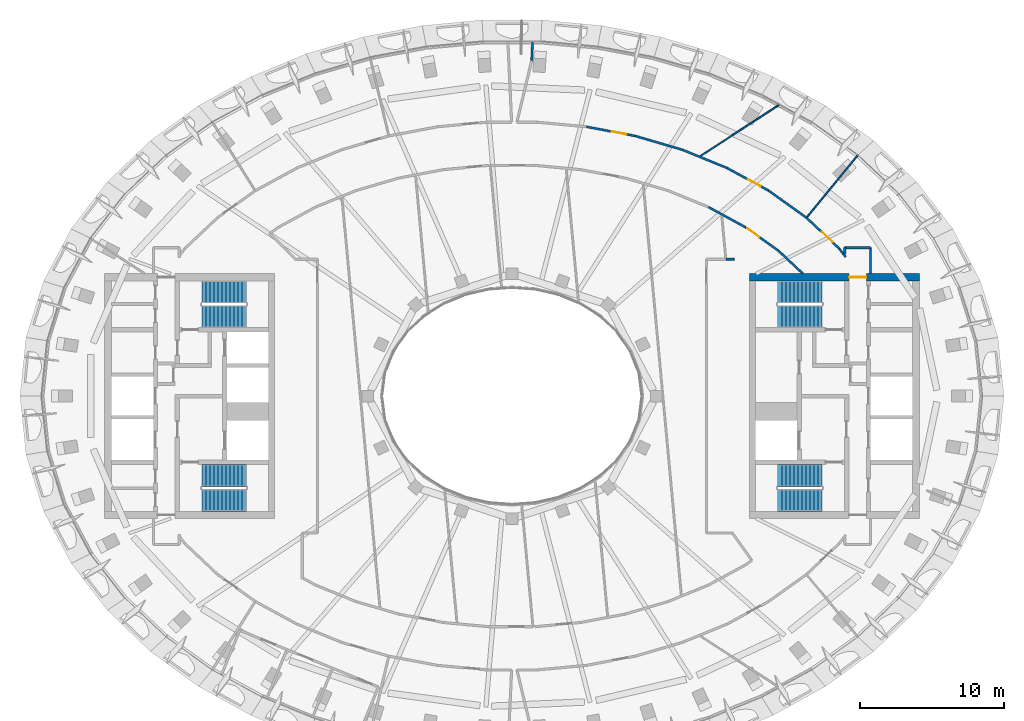
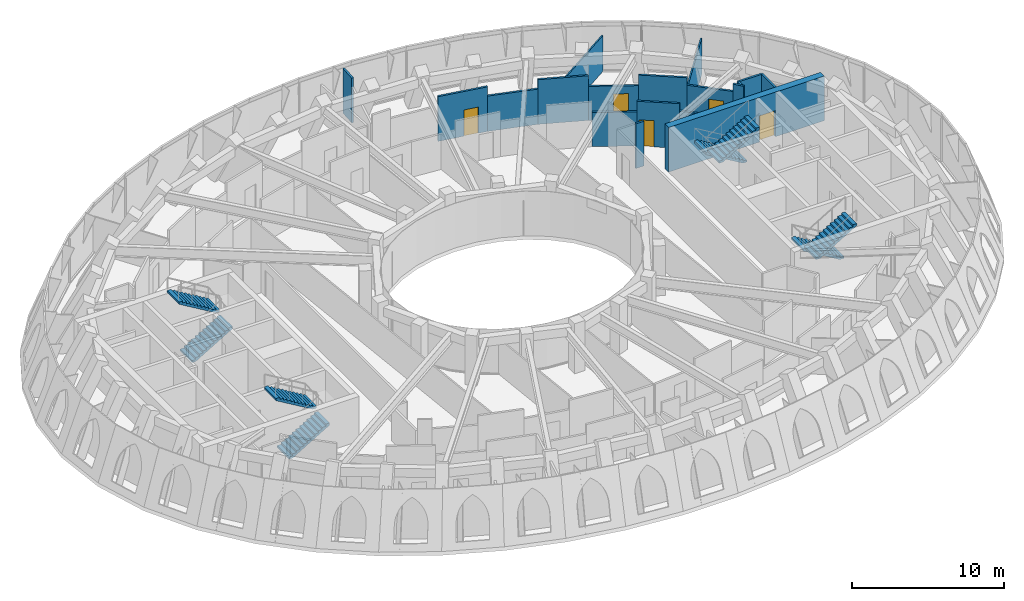
# One storey, part 7 of 14: 18 walls, 8 stair flights, 5 doors, 5 openings, 4 elements without a shape of their own.
"""IFC4 building model written with IfcOpenShell, lengths in metres."""

from ifc_helpers import new_model, si_unit, direction, frame, frame_2d, origin, place, context, subcontext, project, spatial, polyline, rectangle, outline, extrude, material, layer, layer_set, type_object, element, fill, aggregate, save


model = new_model("IFC4")

# Units and contexts
model_context = context("Model", 3, precision=1e-05, world=origin(), true_north=direction((0.0, 1.0)))
body_context = subcontext(model_context, "Body", "Model", "MODEL_VIEW")
ifc_project = project(units=[si_unit("LENGTHUNIT", "METRE"), si_unit("AREAUNIT", "SQUARE_METRE"), si_unit("VOLUMEUNIT", "CUBIC_METRE"), si_unit("PLANEANGLEUNIT", "RADIAN"), si_unit("MASSUNIT", "GRAM", prefix="KILO")], contexts=[model_context])

# Site, building, storey
site_placement = place(None, origin())
site = spatial("IfcSite", under=ifc_project, at=site_placement, CompositionType="ELEMENT")
building_placement = place(site_placement, origin())
building = spatial("IfcBuilding", under=site, at=building_placement, Name="Noorbagh Ring Tower", CompositionType="ELEMENT")
storey_placement = place(building_placement, frame((0.0, 0.0, 343.0)))
storey = spatial("IfcBuildingStorey", under=building, at=storey_placement, Name="L75", CompositionType="ELEMENT", Elevation=343.0)

# Wall, opening, door
ifc_material_1 = material(Name="Concrete C50/60", Category="concrete")
ifc_layer_1 = layer(ifc_material_1, 0.5)
ifc_layer_set_1 = layer_set([ifc_layer_1], Name="Concrete C50/60")
wall_type_1 = type_object("IfcWallType", Name="CORE-WALL-500-C50-60-EI240", PredefinedType="SHEAR", material=ifc_layer_set_1)
wall_1_placement = place(storey_placement, frame((16.5, 8.25, 0.0), z_axis=(0.0, 0.0, 1.0), x_axis=(1.0, 0.0, 0.0)))
wall_1 = element("IfcWall", 1, at=wall_1_placement, inside=storey, type_object=wall_type_1, Name="Core wall E", PredefinedType="SHEAR", context=body_context, shape_type="SweptSolid", body=[
    extrude(rectangle(XDim=11.800048828125, YDim=0.5, at=frame_2d((5.89990234375, 0.0))), origin(), (0.0, 0.0, 1.0), 3.580078125),
])
opening_1_placement = place(wall_1_placement, frame((6.89990234375, 0.0, 0.0)))
opening_1 = element("IfcOpeningElement", 2, at=opening_1_placement, cuts=wall_1, Name="Opening L75-CE08", PredefinedType="OPENING", context=body_context, shape_type="SweptSolid", body=[
    extrude(rectangle(XDim=1.199951171875, YDim=2.10009765625, at=frame_2d((0.60009765625, 1.050048828125))), frame((0.0, 0.260009765625, 0.0), z_axis=(0.0, -1.0, 0.0), x_axis=(1.0, 0.0, 0.0)), (0.0, 0.0, 1.0), 0.52001953125),
])
ifc_material_2 = material(Name="Steel door leaf", Category="steel")
door_type_1 = type_object("IfcDoorType", Name="CORE-DOOR-PORT", OperationType="DOUBLE_DOOR_DOUBLE_SWING", PredefinedType="DOOR", material=ifc_material_2)
door_1_placement = place(opening_1_placement, origin())
door_1 = element("IfcDoor", 3, at=door_1_placement, inside=storey, type_object=door_type_1, Name="Core entrance door L75-CE08", OperationType="DOUBLE_DOOR_DOUBLE_SWING", OverallHeight=2.10009765625, OverallWidth=1.199951171875, PredefinedType="DOOR", context=body_context, shape_type="SweptSolid", body=[
    extrude(rectangle(XDim=1.199951171875, YDim=2.10009765625, at=frame_2d((0.60009765625, 1.050048828125))), frame((0.0, 0.02490234375, 0.0), z_axis=(0.0, -1.0, 0.0), x_axis=(1.0, 0.0, 0.0)), (0.0, 0.0, 1.0), 0.050048828125),
])
fill(opening_1, door_1)

# Wall
ifc_material_3 = material(Name="Gypsum board on steel studs", Category="steel")
ifc_layer_2 = layer(ifc_material_3, 0.14990234375)
ifc_layer_set_2 = layer_set([ifc_layer_2], Name="Gypsum board on steel studs")
wall_type_2 = type_object("IfcWallType", Name="CORRIDOR PARTITION 150 EI 30", PredefinedType="PARTITIONING", material=ifc_layer_set_2)
wall_2_placement = place(storey_placement, frame((1.365966796875, 23.291015625, 0.0), z_axis=(0.0, 0.0, 1.0), x_axis=(0.046328125485, 0.998926275953, 0.0)))
element("IfcWall", 4, at=wall_2_placement, inside=storey, type_object=wall_type_2, Name="L75/wall/P65", PredefinedType="PARTITIONING", context=body_context, shape_type="SweptSolid", body=[
    extrude(rectangle(XDim=1.275390625, YDim=0.14990234375, at=frame_2d((0.6376953125, 0.0))), origin(), (0.0, 0.0, 1.0), 3.580078125),
])

# Wall, opening, door
wall_3_placement = place(storey_placement, frame((5.172119140625, 18.696044921875, 0.0), z_axis=(0.0, 0.0, 1.0), x_axis=(0.982681912421, -0.185300456021, 0.0)))
wall_3 = element("IfcWall", 5, at=wall_3_placement, inside=storey, type_object=wall_type_2, Name="L75/wall/P74", PredefinedType="PARTITIONING", context=body_context, shape_type="SweptSolid", body=[
    extrude(rectangle(XDim=3.4375, YDim=0.14990234375, at=frame_2d((1.71875, 0.0))), origin(), (0.0, 0.0, 1.0), 3.580078125),
])
opening_2_placement = place(wall_3_placement, frame((1.78759765625, 0.0, 0.0)))
opening_2 = element("IfcOpeningElement", 6, at=opening_2_placement, cuts=wall_3, Name="Opening D1", PredefinedType="OPENING", context=body_context, shape_type="SweptSolid", body=[
    extrude(rectangle(XDim=1.0, YDim=2.10009765625, at=frame_2d((0.5, 1.050048828125))), frame((0.0, 0.0849609375, 0.0), z_axis=(0.0, -1.0, 0.0), x_axis=(1.0, 0.0, 0.0)), (0.0, 0.0, 1.0), 0.169921875),
])
ifc_material_4 = material(Name="Timber, painted", Category="wood")
door_type_2 = type_object("IfcDoorType", Name="DOOR 1000 X 2100 FD30", OperationType="SINGLE_SWING_LEFT", PredefinedType="DOOR", material=ifc_material_4)
door_2_placement = place(opening_2_placement, origin())
door_2 = element("IfcDoor", 7, at=door_2_placement, inside=storey, type_object=door_type_2, Name="L75-D11", OperationType="SINGLE_SWING_LEFT", OverallHeight=2.10009765625, OverallWidth=1.0, PredefinedType="DOOR", context=body_context, shape_type="SweptSolid", body=[
    extrude(rectangle(XDim=1.0, YDim=2.10009765625, at=frame_2d((0.5, 1.050048828125))), frame((0.0, 0.02490234375, 0.0), z_axis=(0.0, -1.0, 0.0), x_axis=(1.0, 0.0, 0.0)), (0.0, 0.0, 1.0), 0.050048828125),
])
fill(opening_2, door_2)

# Walls
wall_4_placement = place(storey_placement, frame((8.550048828125, 18.05908203125, 0.0), z_axis=(0.0, 0.0, 1.0), x_axis=(0.959795830022, -0.280699064254, 0.0)))
element("IfcWall", 8, at=wall_4_placement, inside=storey, type_object=wall_type_2, Name="L75/wall/P79", PredefinedType="PARTITIONING", context=body_context, shape_type="SweptSolid", body=[
    extrude(rectangle(XDim=3.406005859375, YDim=0.14990234375, at=frame_2d((1.703125, 0.0))), origin(), (0.0, 0.0, 1.0), 2.830078125),
])
wall_5_placement = place(storey_placement, frame((11.819091796875, 17.10302734375, 0.0), z_axis=(0.0, 0.0, 1.0), x_axis=(0.925817550032, -0.377970718511, 0.0)))
element("IfcWall", 9, at=wall_5_placement, inside=storey, type_object=wall_type_2, Name="L75/wall/P84", PredefinedType="PARTITIONING", context=body_context, shape_type="SweptSolid", body=[
    extrude(rectangle(XDim=3.360107421875, YDim=0.14990234375, at=frame_2d((1.68017578125, 0.0))), origin(), (0.0, 0.0, 1.0), 3.580078125),
])
wall_6_placement = place(storey_placement, frame((13.64208984375, 13.118896484375, 0.0), z_axis=(0.0, 0.0, 1.0), x_axis=(0.878132912292, -0.478416751744, 0.0)))
element("IfcWall", 10, at=wall_6_placement, inside=storey, type_object=wall_type_2, Name="L75/wall/P91", PredefinedType="PARTITIONING", context=body_context, shape_type="SweptSolid", body=[
    extrude(rectangle(XDim=2.947021484375, YDim=0.14990234375, at=frame_2d((1.4736328125, 0.0))), origin(), (0.0, 0.0, 1.0), 2.72998046875),
])
wall_7_placement = place(storey_placement, frame((14.844970703125, 9.5, 0.0), z_axis=(0.0, 0.0, 1.0), x_axis=(1.0, 0.0, 0.0)))
element("IfcWall", 11, at=wall_7_placement, inside=storey, type_object=wall_type_2, Name="L75/wall/P93", PredefinedType="PARTITIONING", context=body_context, shape_type="SweptSolid", body=[
    extrude(rectangle(XDim=0.60205078125, YDim=0.14990234375, at=frame_2d((0.301025390625, 0.0))), origin(), (0.0, 0.0, 1.0), 3.580078125),
])

# Wall, opening, door
wall_8_placement = place(storey_placement, frame((14.929931640625, 15.8330078125, 0.0), z_axis=(0.0, 0.0, 1.0), x_axis=(0.878243368634, -0.478213953634, 0.0)))
wall_8 = element("IfcWall", 12, at=wall_8_placement, inside=storey, type_object=wall_type_2, Name="L75/wall/P95", PredefinedType="PARTITIONING", context=body_context, shape_type="SweptSolid", body=[
    extrude(rectangle(XDim=3.297607421875, YDim=0.14990234375, at=frame_2d((1.64892578125, 0.0))), origin(), (0.0, 0.0, 1.0), 2.72998046875),
])
opening_3_placement = place(wall_8_placement, frame((1.6474609375, 0.0, 0.0)))
opening_3 = element("IfcOpeningElement", 13, at=opening_3_placement, cuts=wall_8, Name="Opening D1", PredefinedType="OPENING", context=body_context, shape_type="SweptSolid", body=[
    extrude(rectangle(XDim=1.0, YDim=2.10009765625, at=frame_2d((0.5, 1.050048828125))), frame((0.0, 0.0849609375, 0.0), z_axis=(0.0, -1.0, 0.0), x_axis=(1.0, 0.0, 0.0)), (0.0, 0.0, 1.0), 0.169921875),
])
door_3_placement = place(opening_3_placement, origin())
door_3 = element("IfcDoor", 14, at=door_3_placement, inside=storey, type_object=door_type_2, Name="L75-D13", OperationType="SINGLE_SWING_LEFT", OverallHeight=2.10009765625, OverallWidth=1.0, PredefinedType="DOOR", context=body_context, shape_type="SweptSolid", body=[
    extrude(rectangle(XDim=1.0, YDim=2.10009765625, at=frame_2d((0.5, 1.050048828125))), frame((0.0, 0.02490234375, 0.0), z_axis=(0.0, -1.0, 0.0), x_axis=(1.0, 0.0, 0.0)), (0.0, 0.0, 1.0), 0.050048828125),
])
fill(opening_3, door_3)

wall_9_placement = place(storey_placement, frame((16.22998046875, 11.708984375, 0.0), z_axis=(0.0, 0.0, 1.0), x_axis=(0.813447746527, -0.581638000539, 0.0)))
wall_9 = element("IfcWall", 15, at=wall_9_placement, inside=storey, type_object=wall_type_2, Name="L75/wall/P98", PredefinedType="PARTITIONING", context=body_context, shape_type="SweptSolid", body=[
    extrude(rectangle(XDim=2.829833984375, YDim=0.14990234375, at=frame_2d((1.4150390625, 0.0))), origin(), (0.0, 0.0, 1.0), 3.580078125),
])
opening_4_placement = place(wall_9_placement, frame((0.14990234375, 0.0, 0.0)))
opening_4 = element("IfcOpeningElement", 16, at=opening_4_placement, cuts=wall_9, Name="Opening D1", PredefinedType="OPENING", context=body_context, shape_type="SweptSolid", body=[
    extrude(rectangle(XDim=1.0, YDim=2.10009765625, at=frame_2d((0.5, 1.050048828125))), frame((0.0, 0.0849609375, 0.0), z_axis=(0.0, -1.0, 0.0), x_axis=(1.0, 0.0, 0.0)), (0.0, 0.0, 1.0), 0.169921875),
])
door_4_placement = place(opening_4_placement, origin())
door_4 = element("IfcDoor", 17, at=door_4_placement, inside=storey, type_object=door_type_2, Name="L75-D24", OperationType="SINGLE_SWING_LEFT", OverallHeight=2.10009765625, OverallWidth=1.0, PredefinedType="DOOR", context=body_context, shape_type="SweptSolid", body=[
    extrude(rectangle(XDim=1.0, YDim=2.10009765625, at=frame_2d((0.5, 1.050048828125))), frame((0.0, 0.02490234375, 0.0), z_axis=(0.0, -1.0, 0.0), x_axis=(1.0, 0.0, 0.0)), (0.0, 0.0, 1.0), 0.050048828125),
])
fill(opening_4, door_4)

# Walls
wall_10_placement = place(storey_placement, frame((17.825927734375, 14.256103515625, 0.0), z_axis=(0.0, 0.0, 1.0), x_axis=(0.813358889148, -0.58176225165, 0.0)))
element("IfcWall", 18, at=wall_10_placement, inside=storey, type_object=wall_type_2, Name="L75/wall/P100", PredefinedType="PARTITIONING", context=body_context, shape_type="SweptSolid", body=[
    extrude(rectangle(XDim=3.21630859375, YDim=0.14990234375, at=frame_2d((1.608154296875, 0.0))), origin(), (0.0, 0.0, 1.0), 3.580078125),
])
wall_11_placement = place(storey_placement, frame((18.531982421875, 10.06298828125, 0.0), z_axis=(0.0, 0.0, 1.0), x_axis=(0.727438065829, -0.686173345725, 0.0)))
element("IfcWall", 19, at=wall_11_placement, inside=storey, type_object=wall_type_2, Name="L75/wall/P101", PredefinedType="PARTITIONING", context=body_context, shape_type="SweptSolid", body=[
    extrude(rectangle(XDim=2.27783203125, YDim=0.14990234375, at=frame_2d((1.138916015625, 0.0))), origin(), (0.0, 0.0, 1.0), 2.97998046875),
])

# Wall, opening, door
wall_12_placement = place(storey_placement, frame((20.44189453125, 12.385009765625, 0.0), z_axis=(0.0, 0.0, 1.0), x_axis=(0.727525716883, -0.686080411668, 0.0)))
wall_12 = element("IfcWall", 20, at=wall_12_placement, inside=storey, type_object=wall_type_2, Name="L75/wall/P103", PredefinedType="PARTITIONING", context=body_context, shape_type="SweptSolid", body=[
    extrude(rectangle(XDim=3.1162109375, YDim=0.14990234375, at=frame_2d((1.55810546875, 0.0))), origin(), (0.0, 0.0, 1.0), 2.97998046875),
])
opening_5_placement = place(wall_12_placement, frame((1.466064453125, 0.0, 0.0)))
opening_5 = element("IfcOpeningElement", 21, at=opening_5_placement, cuts=wall_12, Name="Opening D1", PredefinedType="OPENING", context=body_context, shape_type="SweptSolid", body=[
    extrude(rectangle(XDim=1.0, YDim=2.10009765625, at=frame_2d((0.5, 1.050048828125))), frame((0.0, 0.0849609375, 0.0), z_axis=(0.0, -1.0, 0.0), x_axis=(1.0, 0.0, 0.0)), (0.0, 0.0, 1.0), 0.169921875),
])
door_5_placement = place(opening_5_placement, origin())
door_5 = element("IfcDoor", 22, at=door_5_placement, inside=storey, type_object=door_type_2, Name="L75-D15", OperationType="SINGLE_SWING_LEFT", OverallHeight=2.10009765625, OverallWidth=1.0, PredefinedType="DOOR", context=body_context, shape_type="SweptSolid", body=[
    extrude(rectangle(XDim=1.0, YDim=2.10009765625, at=frame_2d((0.5, 1.050048828125))), frame((0.0, 0.02490234375, 0.0), z_axis=(0.0, -1.0, 0.0), x_axis=(1.0, 0.0, 0.0)), (0.0, 0.0, 1.0), 0.050048828125),
])
fill(opening_5, door_5)

# Walls
wall_13_placement = place(storey_placement, frame((22.708984375, 10.2470703125, 0.0), z_axis=(0.0, 0.0, 1.0), x_axis=(0.615256200226, -0.788327221453, 0.0)))
element("IfcWall", 23, at=wall_13_placement, inside=storey, type_object=wall_type_2, Name="L75/wall/P107", PredefinedType="PARTITIONING", context=body_context, shape_type="SweptSolid", body=[
    extrude(rectangle(XDim=0.757568359375, YDim=0.14990234375, at=frame_2d((0.37890625, 0.0))), origin(), (0.0, 0.0, 1.0), 3.580078125),
])
wall_14_placement = place(storey_placement, frame((23.10009765625, 9.867919921875, 0.0), z_axis=(0.0, 0.0, 1.0), x_axis=(0.0, 1.0, 0.0)))
element("IfcWall", 24, at=wall_14_placement, inside=storey, type_object=wall_type_2, Name="L75/wall/P110", PredefinedType="PARTITIONING", context=body_context, shape_type="SweptSolid", body=[
    extrude(rectangle(XDim=0.43212890625, YDim=0.14990234375, at=frame_2d((0.216064453125, 0.0))), origin(), (0.0, 0.0, 1.0), 3.580078125),
])
wall_15_placement = place(storey_placement, frame((23.10009765625, 10.300048828125, 0.0), z_axis=(0.0, 0.0, 1.0), x_axis=(1.0, 0.0, 0.0)))
element("IfcWall", 25, at=wall_15_placement, inside=storey, type_object=wall_type_2, Name="L75/wall/P111", PredefinedType="PARTITIONING", context=body_context, shape_type="SweptSolid", body=[
    extrude(rectangle(XDim=1.7998046875, YDim=0.14990234375, at=frame_2d((0.89990234375, 0.0))), origin(), (0.0, 0.0, 1.0), 3.580078125),
])
wall_16_placement = place(storey_placement, frame((24.89990234375, 8.5, 0.0), z_axis=(0.0, 0.0, 1.0), x_axis=(0.0, 1.0, 0.0)))
element("IfcWall", 26, at=wall_16_placement, inside=storey, type_object=wall_type_2, Name="L75/wall/P113", PredefinedType="PARTITIONING", context=body_context, shape_type="SweptSolid", body=[
    extrude(rectangle(XDim=1.800048828125, YDim=0.14990234375, at=frame_2d((0.89990234375, 0.0))), origin(), (0.0, 0.0, 1.0), 3.580078125),
])
ifc_material_5 = material(Name="Gypsum board on steel studs", Category="steel")
ifc_layer_3 = layer(ifc_material_5, 0.10009765625)
ifc_layer_set_3 = layer_set([ifc_layer_3], Name="Gypsum board on steel studs")
wall_type_3 = type_object("IfcWallType", Name="PARTITION 100 GYPSUM", PredefinedType="PARTITIONING", material=ifc_layer_set_3)
wall_17_placement = place(storey_placement, frame((13.092041015625, 16.66796875, 0.0), z_axis=(0.0, 0.0, 1.0), x_axis=(0.837714965693, 0.546107714883, 0.0)))
element("IfcWall", 27, at=wall_17_placement, inside=storey, type_object=wall_type_3, Name="L75/wall/P86", PredefinedType="PARTITIONING", context=body_context, shape_type="SweptSolid", body=[
    extrude(rectangle(XDim=6.467529296875, YDim=0.10009765625, at=frame_2d((3.23388671875, 0.0))), origin(), (0.0, 0.0, 1.0), 2.8798828125),
])
wall_18_placement = place(storey_placement, frame((20.445068359375, 12.387939453125, 0.0), z_axis=(0.0, 0.0, 1.0), x_axis=(0.635342356641, 0.772230593708, 0.0)))
element("IfcWall", 28, at=wall_18_placement, inside=storey, type_object=wall_type_3, Name="L75/wall/P105", PredefinedType="PARTITIONING", context=body_context, shape_type="SweptSolid", body=[
    extrude(rectangle(XDim=5.55908203125, YDim=0.10009765625, at=frame_2d((2.779541015625, 0.0))), origin(), (0.0, 0.0, 1.0), 2.8798828125),
])

# Stair, stair flights
ifc_material_6 = material(Name="Concrete C40/50", Category="concrete")
stair_type = type_object("IfcStairType", Name="CORE-STAIR", PredefinedType="HALF_TURN_STAIR", material=ifc_material_6)
stair_1_placement = place(storey_placement, origin())
stair_1 = element("IfcStair", 29, at=stair_1_placement, inside=storey, type_object=stair_type, Name="L75 Exit stair ST1", PredefinedType="HALF_TURN_STAIR")
ifc_material_7 = material(Name="Concrete C40/50", Category="concrete")
stair_flight_type = type_object("IfcStairFlightType", Name="CORE-STAIR-FLIGHT", PredefinedType="STRAIGHT", material=ifc_material_7)
stair_flight_1_placement = place(storey_placement, frame((-21.530029296875, 5.52490234375, 0.0), z_axis=(0.0, 0.0, 1.0), x_axis=(1.0, 0.0, 0.0)))
stair_flight_1 = element("IfcStairFlight", 30, at=stair_flight_1_placement, type_object=stair_flight_type, Name="ST1 flight 1", NumberOfRisers=12, NumberOfTreads=11, PredefinedType="STRAIGHT", RiserHeight=0.166666667, TreadLength=0.28, context=body_context, shape_type="SweptSolid", body=[
    extrude(outline(polyline([(0.0, 0.0), (0.0, 0.166748046875), (0.280029296875, 0.166748046875), (0.280029296875, 0.333251953125), (0.56005859375, 0.333251953125), (0.56005859375, 0.5), (0.840087890625, 0.5), (0.840087890625, 0.666748046875), (1.1201171875, 0.666748046875), (1.1201171875, 0.833251953125), (1.39990234375, 0.833251953125), (1.39990234375, 1.0), (1.679931640625, 1.0), (1.679931640625, 1.166748046875), (1.9599609375, 1.166748046875), (1.9599609375, 1.333251953125), (2.239990234375, 1.333251953125), (2.239990234375, 1.5), (2.52001953125, 1.5), (2.52001953125, 1.666748046875), (2.800048828125, 1.666748046875), (2.800048828125, 1.833251953125), (3.080078125, 1.833251953125), (3.080078125, 2.0), (3.080078125, 1.658935546875), (0.29296875, 0.0), (0.0, 0.0)])), frame((0.0, 0.77490234375, 0.0), z_axis=(0.0, -1.0, 0.0), x_axis=(1.0, 0.0, 0.0)), (0.0, 0.0, 1.0), 1.550048828125),
])
stair_flight_2_placement = place(storey_placement, frame((-18.449951171875, 7.22509765625, 2.0), z_axis=(0.0, 0.0, 1.0), x_axis=(-1.0, 0.0, 0.0)))
stair_flight_2 = element("IfcStairFlight", 31, at=stair_flight_2_placement, type_object=stair_flight_type, Name="ST1 flight 2", NumberOfRisers=12, NumberOfTreads=11, PredefinedType="STRAIGHT", RiserHeight=0.166666667, TreadLength=0.28, context=body_context, shape_type="SweptSolid", body=[
    extrude(outline(polyline([(0.0, 0.0), (0.0, 0.166748046875), (0.280029296875, 0.166748046875), (0.280029296875, 0.333251953125), (0.56005859375, 0.333251953125), (0.56005859375, 0.5), (0.840087890625, 0.5), (0.840087890625, 0.666748046875), (1.1201171875, 0.666748046875), (1.1201171875, 0.833251953125), (1.39990234375, 0.833251953125), (1.39990234375, 1.0), (1.679931640625, 1.0), (1.679931640625, 1.166748046875), (1.9599609375, 1.166748046875), (1.9599609375, 1.333251953125), (2.239990234375, 1.333251953125), (2.239990234375, 1.5), (2.52001953125, 1.5), (2.52001953125, 1.666748046875), (2.800048828125, 1.666748046875), (2.800048828125, 1.833251953125), (3.080078125, 1.833251953125), (3.080078125, 2.0), (3.080078125, 1.658935546875), (0.29296875, 0.0), (0.0, 0.0)])), frame((0.0, 0.77490234375, 0.0), z_axis=(0.0, -1.0, 0.0), x_axis=(1.0, 0.0, 0.0)), (0.0, 0.0, 1.0), 1.550048828125),
])
aggregate(stair_1, [stair_flight_1, stair_flight_2])

stair_2_placement = place(storey_placement, origin())
stair_2 = element("IfcStair", 32, at=stair_2_placement, inside=storey, type_object=stair_type, Name="L75 Exit stair ST2", PredefinedType="HALF_TURN_STAIR")
stair_flight_3_placement = place(storey_placement, frame((-21.530029296875, -7.22509765625, 0.0), z_axis=(0.0, 0.0, 1.0), x_axis=(1.0, 0.0, 0.0)))
stair_flight_3 = element("IfcStairFlight", 33, at=stair_flight_3_placement, type_object=stair_flight_type, Name="ST2 flight 1", NumberOfRisers=12, NumberOfTreads=11, PredefinedType="STRAIGHT", RiserHeight=0.166666667, TreadLength=0.28, context=body_context, shape_type="SweptSolid", body=[
    extrude(outline(polyline([(0.0, 0.0), (0.0, 0.166748046875), (0.280029296875, 0.166748046875), (0.280029296875, 0.333251953125), (0.56005859375, 0.333251953125), (0.56005859375, 0.5), (0.840087890625, 0.5), (0.840087890625, 0.666748046875), (1.1201171875, 0.666748046875), (1.1201171875, 0.833251953125), (1.39990234375, 0.833251953125), (1.39990234375, 1.0), (1.679931640625, 1.0), (1.679931640625, 1.166748046875), (1.9599609375, 1.166748046875), (1.9599609375, 1.333251953125), (2.239990234375, 1.333251953125), (2.239990234375, 1.5), (2.52001953125, 1.5), (2.52001953125, 1.666748046875), (2.800048828125, 1.666748046875), (2.800048828125, 1.833251953125), (3.080078125, 1.833251953125), (3.080078125, 2.0), (3.080078125, 1.658935546875), (0.29296875, 0.0), (0.0, 0.0)])), frame((0.0, 0.77490234375, 0.0), z_axis=(0.0, -1.0, 0.0), x_axis=(1.0, 0.0, 0.0)), (0.0, 0.0, 1.0), 1.550048828125),
])
stair_flight_4_placement = place(storey_placement, frame((-18.449951171875, -5.52490234375, 2.0), z_axis=(0.0, 0.0, 1.0), x_axis=(-1.0, 0.0, 0.0)))
stair_flight_4 = element("IfcStairFlight", 34, at=stair_flight_4_placement, type_object=stair_flight_type, Name="ST2 flight 2", NumberOfRisers=12, NumberOfTreads=11, PredefinedType="STRAIGHT", RiserHeight=0.166666667, TreadLength=0.28, context=body_context, shape_type="SweptSolid", body=[
    extrude(outline(polyline([(0.0, 0.0), (0.0, 0.166748046875), (0.280029296875, 0.166748046875), (0.280029296875, 0.333251953125), (0.56005859375, 0.333251953125), (0.56005859375, 0.5), (0.840087890625, 0.5), (0.840087890625, 0.666748046875), (1.1201171875, 0.666748046875), (1.1201171875, 0.833251953125), (1.39990234375, 0.833251953125), (1.39990234375, 1.0), (1.679931640625, 1.0), (1.679931640625, 1.166748046875), (1.9599609375, 1.166748046875), (1.9599609375, 1.333251953125), (2.239990234375, 1.333251953125), (2.239990234375, 1.5), (2.52001953125, 1.5), (2.52001953125, 1.666748046875), (2.800048828125, 1.666748046875), (2.800048828125, 1.833251953125), (3.080078125, 1.833251953125), (3.080078125, 2.0), (3.080078125, 1.658935546875), (0.29296875, 0.0), (0.0, 0.0)])), frame((0.0, 0.77490234375, 0.0), z_axis=(0.0, -1.0, 0.0), x_axis=(1.0, 0.0, 0.0)), (0.0, 0.0, 1.0), 1.550048828125),
])
aggregate(stair_2, [stair_flight_3, stair_flight_4])

stair_3_placement = place(storey_placement, origin())
stair_3 = element("IfcStair", 35, at=stair_3_placement, inside=storey, type_object=stair_type, Name="L75 Exit stair ST3", PredefinedType="HALF_TURN_STAIR")
stair_flight_5_placement = place(storey_placement, frame((21.530029296875, 7.22509765625, 0.0), z_axis=(0.0, 0.0, 1.0), x_axis=(-1.0, 0.0, 0.0)))
stair_flight_5 = element("IfcStairFlight", 36, at=stair_flight_5_placement, type_object=stair_flight_type, Name="ST3 flight 1", NumberOfRisers=12, NumberOfTreads=11, PredefinedType="STRAIGHT", RiserHeight=0.166666667, TreadLength=0.28, context=body_context, shape_type="SweptSolid", body=[
    extrude(outline(polyline([(0.0, 0.0), (0.0, 0.166748046875), (0.280029296875, 0.166748046875), (0.280029296875, 0.333251953125), (0.56005859375, 0.333251953125), (0.56005859375, 0.5), (0.840087890625, 0.5), (0.840087890625, 0.666748046875), (1.1201171875, 0.666748046875), (1.1201171875, 0.833251953125), (1.39990234375, 0.833251953125), (1.39990234375, 1.0), (1.679931640625, 1.0), (1.679931640625, 1.166748046875), (1.9599609375, 1.166748046875), (1.9599609375, 1.333251953125), (2.239990234375, 1.333251953125), (2.239990234375, 1.5), (2.52001953125, 1.5), (2.52001953125, 1.666748046875), (2.800048828125, 1.666748046875), (2.800048828125, 1.833251953125), (3.080078125, 1.833251953125), (3.080078125, 2.0), (3.080078125, 1.658935546875), (0.29296875, 0.0), (0.0, 0.0)])), frame((0.0, 0.77490234375, 0.0), z_axis=(0.0, -1.0, 0.0), x_axis=(1.0, 0.0, 0.0)), (0.0, 0.0, 1.0), 1.550048828125),
])
stair_flight_6_placement = place(storey_placement, frame((18.449951171875, 5.52490234375, 2.0), z_axis=(0.0, 0.0, 1.0), x_axis=(1.0, 0.0, 0.0)))
stair_flight_6 = element("IfcStairFlight", 37, at=stair_flight_6_placement, type_object=stair_flight_type, Name="ST3 flight 2", NumberOfRisers=12, NumberOfTreads=11, PredefinedType="STRAIGHT", RiserHeight=0.166666667, TreadLength=0.28, context=body_context, shape_type="SweptSolid", body=[
    extrude(outline(polyline([(0.0, 0.0), (0.0, 0.166748046875), (0.280029296875, 0.166748046875), (0.280029296875, 0.333251953125), (0.56005859375, 0.333251953125), (0.56005859375, 0.5), (0.840087890625, 0.5), (0.840087890625, 0.666748046875), (1.1201171875, 0.666748046875), (1.1201171875, 0.833251953125), (1.39990234375, 0.833251953125), (1.39990234375, 1.0), (1.679931640625, 1.0), (1.679931640625, 1.166748046875), (1.9599609375, 1.166748046875), (1.9599609375, 1.333251953125), (2.239990234375, 1.333251953125), (2.239990234375, 1.5), (2.52001953125, 1.5), (2.52001953125, 1.666748046875), (2.800048828125, 1.666748046875), (2.800048828125, 1.833251953125), (3.080078125, 1.833251953125), (3.080078125, 2.0), (3.080078125, 1.658935546875), (0.29296875, 0.0), (0.0, 0.0)])), frame((0.0, 0.77490234375, 0.0), z_axis=(0.0, -1.0, 0.0), x_axis=(1.0, 0.0, 0.0)), (0.0, 0.0, 1.0), 1.550048828125),
])
aggregate(stair_3, [stair_flight_5, stair_flight_6])

stair_4_placement = place(storey_placement, origin())
stair_4 = element("IfcStair", 38, at=stair_4_placement, inside=storey, type_object=stair_type, Name="L75 Exit stair ST4", PredefinedType="HALF_TURN_STAIR")
stair_flight_7_placement = place(storey_placement, frame((21.530029296875, -5.52490234375, 0.0), z_axis=(0.0, 0.0, 1.0), x_axis=(-1.0, 0.0, 0.0)))
stair_flight_7 = element("IfcStairFlight", 39, at=stair_flight_7_placement, type_object=stair_flight_type, Name="ST4 flight 1", NumberOfRisers=12, NumberOfTreads=11, PredefinedType="STRAIGHT", RiserHeight=0.166666667, TreadLength=0.28, context=body_context, shape_type="SweptSolid", body=[
    extrude(outline(polyline([(0.0, 0.0), (0.0, 0.166748046875), (0.280029296875, 0.166748046875), (0.280029296875, 0.333251953125), (0.56005859375, 0.333251953125), (0.56005859375, 0.5), (0.840087890625, 0.5), (0.840087890625, 0.666748046875), (1.1201171875, 0.666748046875), (1.1201171875, 0.833251953125), (1.39990234375, 0.833251953125), (1.39990234375, 1.0), (1.679931640625, 1.0), (1.679931640625, 1.166748046875), (1.9599609375, 1.166748046875), (1.9599609375, 1.333251953125), (2.239990234375, 1.333251953125), (2.239990234375, 1.5), (2.52001953125, 1.5), (2.52001953125, 1.666748046875), (2.800048828125, 1.666748046875), (2.800048828125, 1.833251953125), (3.080078125, 1.833251953125), (3.080078125, 2.0), (3.080078125, 1.658935546875), (0.29296875, 0.0), (0.0, 0.0)])), frame((0.0, 0.77490234375, 0.0), z_axis=(0.0, -1.0, 0.0), x_axis=(1.0, 0.0, 0.0)), (0.0, 0.0, 1.0), 1.550048828125),
])
stair_flight_8_placement = place(storey_placement, frame((18.449951171875, -7.22509765625, 2.0), z_axis=(0.0, 0.0, 1.0), x_axis=(1.0, 0.0, 0.0)))
stair_flight_8 = element("IfcStairFlight", 40, at=stair_flight_8_placement, type_object=stair_flight_type, Name="ST4 flight 2", NumberOfRisers=12, NumberOfTreads=11, PredefinedType="STRAIGHT", RiserHeight=0.166666667, TreadLength=0.28, context=body_context, shape_type="SweptSolid", body=[
    extrude(outline(polyline([(0.0, 0.0), (0.0, 0.166748046875), (0.280029296875, 0.166748046875), (0.280029296875, 0.333251953125), (0.56005859375, 0.333251953125), (0.56005859375, 0.5), (0.840087890625, 0.5), (0.840087890625, 0.666748046875), (1.1201171875, 0.666748046875), (1.1201171875, 0.833251953125), (1.39990234375, 0.833251953125), (1.39990234375, 1.0), (1.679931640625, 1.0), (1.679931640625, 1.166748046875), (1.9599609375, 1.166748046875), (1.9599609375, 1.333251953125), (2.239990234375, 1.333251953125), (2.239990234375, 1.5), (2.52001953125, 1.5), (2.52001953125, 1.666748046875), (2.800048828125, 1.666748046875), (2.800048828125, 1.833251953125), (3.080078125, 1.833251953125), (3.080078125, 2.0), (3.080078125, 1.658935546875), (0.29296875, 0.0), (0.0, 0.0)])), frame((0.0, 0.77490234375, 0.0), z_axis=(0.0, -1.0, 0.0), x_axis=(1.0, 0.0, 0.0)), (0.0, 0.0, 1.0), 1.550048828125),
])
aggregate(stair_4, [stair_flight_7, stair_flight_8])

save(model, "model.ifc")
